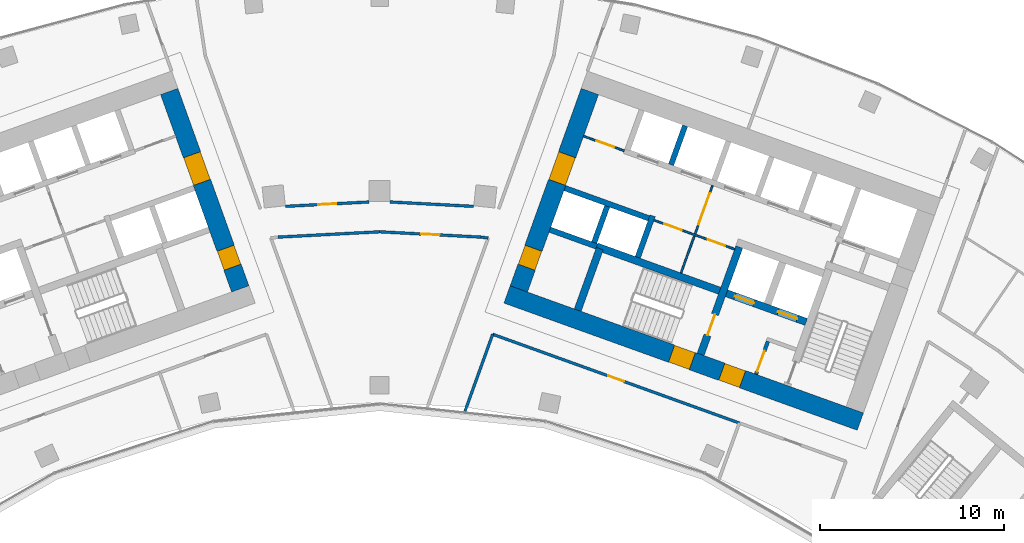
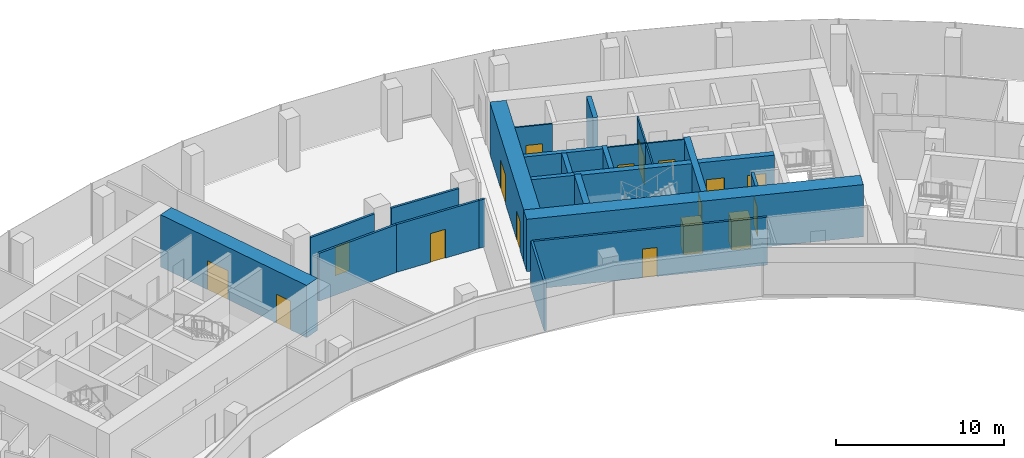
# One storey, part 14 of 19: 22 walls, 17 doors, 17 openings.
"""IFC4 building model written with IfcOpenShell, lengths in metres."""

from ifc_helpers import new_model, si_unit, direction, frame, frame_2d, origin, place, context, subcontext, project, spatial, rectangle, extrude, material, layer, layer_set, type_object, element, fill, save


model = new_model("IFC4")

# Units and contexts
model_context = context("Model", 3, precision=1e-05, world=origin(), true_north=direction((0.0, 1.0)))
body_context = subcontext(model_context, "Body", "Model", "MODEL_VIEW")
ifc_project = project(units=[si_unit("LENGTHUNIT", "METRE"), si_unit("AREAUNIT", "SQUARE_METRE"), si_unit("VOLUMEUNIT", "CUBIC_METRE"), si_unit("PLANEANGLEUNIT", "RADIAN"), si_unit("MASSUNIT", "GRAM", prefix="KILO")], contexts=[model_context])

# Site, building, storey
site_placement = place(None, origin())
site = spatial("IfcSite", under=ifc_project, at=site_placement, CompositionType="ELEMENT")
building_placement = place(site_placement, origin())
building = spatial("IfcBuilding", under=site, at=building_placement, Name="Stone Belt Terrace Tower", CompositionType="ELEMENT")
storey_placement = place(building_placement, frame((0.0, 0.0, 227.60009765625)))
storey = spatial("IfcBuildingStorey", under=building, at=storey_placement, Name="L55", CompositionType="ELEMENT", Elevation=227.60009765625)

# Wall, openings, doors
ifc_material_1 = material(Name="Plasterboard partition")
ifc_layer_1 = layer(ifc_material_1, 0.10009765625)
ifc_layer_set_1 = layer_set([ifc_layer_1], Name="Core partition 100")
wall_type_1 = type_object("IfcWallType", Name="Core partition 100", PredefinedType="PARTITIONING", material=ifc_layer_set_1)
wall_1_placement = place(storey_placement, frame((19.29052734375, 51.829833984375, 0.0), z_axis=(0.0, 0.0, 1.0), x_axis=(-0.940930240745, 0.338600475563, 0.0)))
wall_1 = element("IfcWall", 1, at=wall_1_placement, inside=storey, type_object=wall_type_1, Name="Core B wall", PredefinedType="PARTITIONING", context=body_context, shape_type="SweptSolid", body=[
    extrude(rectangle(XDim=4.64990234375, YDim=0.10009765625, at=frame_2d((2.324951171875, 0.0))), origin(), (0.0, 0.0, 1.0), 3.47998046875),
])
opening_1_placement = place(wall_1_placement, frame((0.550048828125, 0.0, 0.0)))
opening_1 = element("IfcOpeningElement", 2, at=opening_1_placement, cuts=wall_1, Name="Opening L55-C15", PredefinedType="OPENING", context=body_context, shape_type="SweptSolid", body=[
    extrude(rectangle(XDim=1.0, YDim=2.10009765625, at=frame_2d((0.5, 1.050048828125))), frame((0.0, 0.06005859375, 0.0), z_axis=(0.0, -1.0, 0.0), x_axis=(1.0, 0.0, 0.0)), (0.0, 0.0, 1.0), 0.1201171875),
])
opening_2_placement = place(wall_1_placement, frame((3.050048828125, 0.0, 0.0)))
opening_2 = element("IfcOpeningElement", 3, at=opening_2_placement, cuts=wall_1, Name="Opening L55-C16", PredefinedType="OPENING", context=body_context, shape_type="SweptSolid", body=[
    extrude(rectangle(XDim=1.0, YDim=2.10009765625, at=frame_2d((0.5, 1.050048828125))), frame((0.0, 0.06005859375, 0.0), z_axis=(0.0, -1.0, 0.0), x_axis=(1.0, 0.0, 0.0)), (0.0, 0.0, 1.0), 0.1201171875),
])
ifc_material_2 = material(Name="Timber door leaf", Category="wood")
door_type_1 = type_object("IfcDoorType", Name="Core room door 1000", OperationType="SINGLE_SWING_LEFT", PredefinedType="DOOR", material=ifc_material_2)
door_1_placement = place(opening_1_placement, origin())
door_1 = element("IfcDoor", 4, at=door_1_placement, inside=storey, type_object=door_type_1, Name="Door to Communications hub room core B", OperationType="SINGLE_SWING_RIGHT", OverallHeight=2.10009765625, OverallWidth=1.0, PredefinedType="DOOR", context=body_context, shape_type="SweptSolid", body=[
    extrude(rectangle(XDim=1.0, YDim=2.10009765625, at=frame_2d((0.5, 1.050048828125))), frame((0.0, 0.02490234375, 0.0), z_axis=(0.0, -1.0, 0.0), x_axis=(1.0, 0.0, 0.0)), (0.0, 0.0, 1.0), 0.050048828125),
])
fill(opening_1, door_1)
door_2_placement = place(opening_2_placement, origin())
door_2 = element("IfcDoor", 5, at=door_2_placement, inside=storey, type_object=door_type_1, Name="Door to Print and copy room core B", OperationType="SINGLE_SWING_LEFT", OverallHeight=2.10009765625, OverallWidth=1.0, PredefinedType="DOOR", context=body_context, shape_type="SweptSolid", body=[
    extrude(rectangle(XDim=1.0, YDim=2.10009765625, at=frame_2d((0.5, 1.050048828125))), frame((0.0, 0.02490234375, 0.0), z_axis=(0.0, -1.0, 0.0), x_axis=(1.0, 0.0, 0.0)), (0.0, 0.0, 1.0), 0.050048828125),
])
fill(opening_2, door_2)

# Wall, opening, door
wall_2_placement = place(storey_placement, frame((16.38134765625, 50.53857421875, 0.0), z_axis=(0.0, 0.0, 1.0), x_axis=(0.33860476744, 0.940928696271, 0.0)))
wall_2 = element("IfcWall", 6, at=wall_2_placement, inside=storey, type_object=wall_type_1, Name="Core B wall", PredefinedType="PARTITIONING", context=body_context, shape_type="SweptSolid", body=[
    extrude(rectangle(XDim=5.050048828125, YDim=0.10009765625, at=frame_2d((2.52490234375, 0.0))), origin(), (0.0, 0.0, 1.0), 3.47998046875),
])
opening_3_placement = place(wall_2_placement, frame((2.800048828125, 0.0, 0.0)))
opening_3 = element("IfcOpeningElement", 7, at=opening_3_placement, cuts=wall_2, Name="Opening L55-C19", PredefinedType="OPENING", context=body_context, shape_type="SweptSolid", body=[
    extrude(rectangle(XDim=1.800048828125, YDim=2.10009765625, at=frame_2d((0.89990234375, 1.050048828125))), frame((0.0, 0.06005859375, 0.0), z_axis=(0.0, -1.0, 0.0), x_axis=(1.0, 0.0, 0.0)), (0.0, 0.0, 1.0), 0.1201171875),
])
ifc_material_3 = material(Name="Glazed aluminium door leaf", Category="aluminium")
door_type_2 = type_object("IfcDoorType", Name="Lift lobby entrance door 1800", OperationType="DOUBLE_DOOR_SINGLE_SWING", PredefinedType="DOOR", material=ifc_material_3)
door_3_placement = place(opening_3_placement, origin())
door_3 = element("IfcDoor", 8, at=door_3_placement, inside=storey, type_object=door_type_2, Name="Lift lobby double door core B", OperationType="DOUBLE_DOOR_SINGLE_SWING", OverallHeight=2.10009765625, OverallWidth=1.800048828125, PredefinedType="DOOR", context=body_context, shape_type="SweptSolid", body=[
    extrude(rectangle(XDim=1.800048828125, YDim=2.10009765625, at=frame_2d((0.89990234375, 1.050048828125))), frame((0.0, 0.02490234375, 0.0), z_axis=(0.0, -1.0, 0.0), x_axis=(1.0, 0.0, 0.0)), (0.0, 0.0, 1.0), 0.050048828125),
])
fill(opening_3, door_3)

wall_3_placement = place(storey_placement, frame((13.29638671875, 57.17529296875, 0.0), z_axis=(0.0, 0.0, 1.0), x_axis=(-0.940904627055, 0.338671644496, 0.0)))
wall_3 = element("IfcWall", 9, at=wall_3_placement, inside=storey, type_object=wall_type_1, Name="Core B wall", PredefinedType="PARTITIONING", context=body_context, shape_type="SweptSolid", body=[
    extrude(rectangle(XDim=2.35009765625, YDim=0.10009765625, at=frame_2d((1.175048828125, 0.0))), origin(), (0.0, 0.0, 1.0), 3.47998046875),
])
opening_4_placement = place(wall_3_placement, frame((0.60009765625, 0.0, 0.0)))
opening_4 = element("IfcOpeningElement", 10, at=opening_4_placement, cuts=wall_3, Name="Opening L55-C14", PredefinedType="OPENING", context=body_context, shape_type="SweptSolid", body=[
    extrude(rectangle(XDim=1.0, YDim=2.10009765625, at=frame_2d((0.5, 1.050048828125))), frame((0.0, 0.06005859375, 0.0), z_axis=(0.0, -1.0, 0.0), x_axis=(1.0, 0.0, 0.0)), (0.0, 0.0, 1.0), 0.1201171875),
])
door_4_placement = place(opening_4_placement, origin())
door_4 = element("IfcDoor", 11, at=door_4_placement, inside=storey, type_object=door_type_1, Name="Door to Tenant storage room core B", OperationType="SINGLE_SWING_RIGHT", OverallHeight=2.10009765625, OverallWidth=1.0, PredefinedType="DOOR", context=body_context, shape_type="SweptSolid", body=[
    extrude(rectangle(XDim=1.0, YDim=2.10009765625, at=frame_2d((0.5, 1.050048828125))), frame((0.0, 0.02490234375, 0.0), z_axis=(0.0, -1.0, 0.0), x_axis=(1.0, 0.0, 0.0)), (0.0, 0.0, 1.0), 0.050048828125),
])
fill(opening_4, door_4)

# Wall, openings, doors
ifc_material_4 = material(Name="Concrete B60", Category="concrete")
ifc_layer_2 = layer(ifc_material_4, 1.0)
ifc_layer_set_2 = layer_set([ifc_layer_2], Name="Core wall 1000 B60")
wall_type_2 = type_object("IfcWallType", Name="Core wall 1000 B60", PredefinedType="SHEAR", material=ifc_layer_set_2)
wall_4_placement = place(storey_placement, frame((-7.567138671875, 49.672119140625, 0.0), z_axis=(0.0, 0.0, 1.0), x_axis=(-0.338625431531, 0.940921259788, 0.0)))
wall_4 = element("IfcWall", 12, at=wall_4_placement, inside=storey, type_object=wall_type_2, Name="Core A wall end_b L55", PredefinedType="SHEAR", context=body_context, shape_type="SweptSolid", body=[
    extrude(rectangle(XDim=11.400146484375, YDim=1.0, at=frame_2d((5.7001953125, 0.0))), origin(), (0.0, 0.0, 1.0), 3.7998046875),
])
opening_5_placement = place(wall_4_placement, frame((6.14990234375, 0.0, 0.0)))
opening_5 = element("IfcOpeningElement", 13, at=opening_5_placement, cuts=wall_4, Name="Opening L55-C07", PredefinedType="OPENING", context=body_context, shape_type="SweptSolid", body=[
    extrude(rectangle(XDim=1.60009765625, YDim=2.10009765625, at=frame_2d((0.800048828125, 1.050048828125))), frame((0.0, 0.510009765625, 0.0), z_axis=(0.0, -1.0, 0.0), x_axis=(1.0, 0.0, 0.0)), (0.0, 0.0, 1.0), 1.02001953125),
])
opening_6_placement = place(wall_4_placement, frame((1.25, 0.0, 0.0)))
opening_6 = element("IfcOpeningElement", 14, at=opening_6_placement, cuts=wall_4, Name="Opening L55-C13", PredefinedType="OPENING", context=body_context, shape_type="SweptSolid", body=[
    extrude(rectangle(XDim=1.10009765625, YDim=2.10009765625, at=frame_2d((0.550048828125, 1.050048828125))), frame((0.0, 0.510009765625, 0.0), z_axis=(0.0, -1.0, 0.0), x_axis=(1.0, 0.0, 0.0)), (0.0, 0.0, 1.0), 1.02001953125),
])
door_type_3 = type_object("IfcDoorType", Name="Core room door 1100", OperationType="SINGLE_SWING_LEFT", PredefinedType="DOOR", material=ifc_material_2)
door_5_placement = place(opening_6_placement, origin())
door_5 = element("IfcDoor", 15, at=door_5_placement, inside=storey, type_object=door_type_3, Name="Door to Electrical riser room core A", OperationType="SINGLE_SWING_LEFT", OverallHeight=2.10009765625, OverallWidth=1.10009765625, PredefinedType="DOOR", context=body_context, shape_type="SweptSolid", body=[
    extrude(rectangle(XDim=1.10009765625, YDim=2.10009765625, at=frame_2d((0.550048828125, 1.050048828125))), frame((0.0, 0.47998046875, 0.0), z_axis=(0.0, -1.0, 0.0), x_axis=(1.0, 0.0, 0.0)), (0.0, 0.0, 1.0), 0.9599609375),
])
fill(opening_6, door_5)
door_type_4 = type_object("IfcDoorType", Name="Lift lobby entrance door 1600", OperationType="DOUBLE_DOOR_SINGLE_SWING", PredefinedType="DOOR", material=ifc_material_3)
door_6_placement = place(opening_5_placement, origin())
door_6 = element("IfcDoor", 16, at=door_6_placement, inside=storey, type_object=door_type_4, Name="Lift lobby entrance door core A", OperationType="DOUBLE_DOOR_SINGLE_SWING", OverallHeight=2.10009765625, OverallWidth=1.60009765625, PredefinedType="DOOR", context=body_context, shape_type="SweptSolid", body=[
    extrude(rectangle(XDim=1.60009765625, YDim=2.10009765625, at=frame_2d((0.800048828125, 1.050048828125))), frame((0.0, 0.47998046875, 0.0), z_axis=(0.0, -1.0, 0.0), x_axis=(1.0, 0.0, 0.0)), (0.0, 0.0, 1.0), 0.9599609375),
])
fill(opening_5, door_6)

wall_5_placement = place(storey_placement, frame((6.927490234375, 49.370849609375, 0.0), z_axis=(0.0, 0.0, 1.0), x_axis=(0.940921428504, -0.338624962727, 0.0)))
wall_5 = element("IfcWall", 17, at=wall_5_placement, inside=storey, type_object=wall_type_2, Name="Core B wall concave L55", PredefinedType="SHEAR", context=body_context, shape_type="SweptSolid", body=[
    extrude(rectangle(XDim=20.400146484375, YDim=1.0, at=frame_2d((10.2001953125, 0.0))), origin(), (0.0, 0.0, 1.0), 3.7998046875),
])
opening_7_placement = place(wall_5_placement, frame((12.39990234375, 0.0, 0.0)))
opening_7 = element("IfcOpeningElement", 18, at=opening_7_placement, cuts=wall_5, Name="Opening L55-C23", PredefinedType="OPENING", context=body_context, shape_type="SweptSolid", body=[
    extrude(rectangle(XDim=1.199951171875, YDim=2.10009765625, at=frame_2d((0.60009765625, 1.050048828125))), frame((0.0, 0.510009765625, 0.0), z_axis=(0.0, -1.0, 0.0), x_axis=(1.0, 0.0, 0.0)), (0.0, 0.0, 1.0), 1.02001953125),
])
opening_8_placement = place(wall_5_placement, frame((9.5, 0.0, 0.0)))
opening_8 = element("IfcOpeningElement", 19, at=opening_8_placement, cuts=wall_5, Name="Opening L55-C25", PredefinedType="OPENING", context=body_context, shape_type="SweptSolid", body=[
    extrude(rectangle(XDim=1.199951171875, YDim=2.10009765625, at=frame_2d((0.60009765625, 1.050048828125))), frame((0.0, 0.510009765625, 0.0), z_axis=(0.0, -1.0, 0.0), x_axis=(1.0, 0.0, 0.0)), (0.0, 0.0, 1.0), 1.02001953125),
])
ifc_material_5 = material(Name="Steel door leaf", Category="steel")
door_type_5 = type_object("IfcDoorType", Name="Fire-fighting lobby door 1200", OperationType="SINGLE_SWING_LEFT", PredefinedType="DOOR", material=ifc_material_5)
door_7_placement = place(opening_7_placement, origin())
door_7 = element("IfcDoor", 20, at=door_7_placement, inside=storey, type_object=door_type_5, Name="Fire-fighting lobby door core B", OperationType="SINGLE_SWING_RIGHT", OverallHeight=2.10009765625, OverallWidth=1.199951171875, PredefinedType="DOOR", context=body_context, shape_type="SweptSolid", body=[
    extrude(rectangle(XDim=1.199951171875, YDim=2.10009765625, at=frame_2d((0.60009765625, 1.050048828125))), frame((0.0, 0.47998046875, 0.0), z_axis=(0.0, -1.0, 0.0), x_axis=(1.0, 0.0, 0.0)), (0.0, 0.0, 1.0), 0.9599609375),
])
fill(opening_7, door_7)
door_type_6 = type_object("IfcDoorType", Name="Stair door 1200", OperationType="SINGLE_SWING_LEFT", PredefinedType="DOOR", material=ifc_material_5)
door_8_placement = place(opening_8_placement, origin())
door_8 = element("IfcDoor", 21, at=door_8_placement, inside=storey, type_object=door_type_6, Name="Stair 2 exit door core B", OperationType="SINGLE_SWING_LEFT", OverallHeight=2.10009765625, OverallWidth=1.199951171875, PredefinedType="DOOR", context=body_context, shape_type="SweptSolid", body=[
    extrude(rectangle(XDim=1.199951171875, YDim=2.10009765625, at=frame_2d((0.60009765625, 1.050048828125))), frame((0.0, 0.47998046875, 0.0), z_axis=(0.0, -1.0, 0.0), x_axis=(1.0, 0.0, 0.0)), (0.0, 0.0, 1.0), 0.9599609375),
])
fill(opening_8, door_8)

wall_6_placement = place(storey_placement, frame((7.567138671875, 49.672119140625, 0.0), z_axis=(0.0, 0.0, 1.0), x_axis=(0.338625431531, 0.940921259788, 0.0)))
wall_6 = element("IfcWall", 22, at=wall_6_placement, inside=storey, type_object=wall_type_2, Name="Core B wall end_a L55", PredefinedType="SHEAR", context=body_context, shape_type="SweptSolid", body=[
    extrude(rectangle(XDim=11.400146484375, YDim=1.0, at=frame_2d((5.7001953125, 0.0))), origin(), (0.0, 0.0, 1.0), 3.7998046875),
])
opening_9_placement = place(wall_6_placement, frame((6.14990234375, 0.0, 0.0)))
opening_9 = element("IfcOpeningElement", 23, at=opening_9_placement, cuts=wall_6, Name="Opening L55-C20", PredefinedType="OPENING", context=body_context, shape_type="SweptSolid", body=[
    extrude(rectangle(XDim=1.60009765625, YDim=2.10009765625, at=frame_2d((0.800048828125, 1.050048828125))), frame((0.0, 0.510009765625, 0.0), z_axis=(0.0, -1.0, 0.0), x_axis=(1.0, 0.0, 0.0)), (0.0, 0.0, 1.0), 1.02001953125),
])
opening_10_placement = place(wall_6_placement, frame((1.25, 0.0, 0.0)))
opening_10 = element("IfcOpeningElement", 24, at=opening_10_placement, cuts=wall_6, Name="Opening L55-C26", PredefinedType="OPENING", context=body_context, shape_type="SweptSolid", body=[
    extrude(rectangle(XDim=1.10009765625, YDim=2.10009765625, at=frame_2d((0.550048828125, 1.050048828125))), frame((0.0, 0.510009765625, 0.0), z_axis=(0.0, -1.0, 0.0), x_axis=(1.0, 0.0, 0.0)), (0.0, 0.0, 1.0), 1.02001953125),
])
door_9_placement = place(opening_10_placement, origin())
door_9 = element("IfcDoor", 25, at=door_9_placement, inside=storey, type_object=door_type_3, Name="Door to Electrical riser room core B", OperationType="SINGLE_SWING_RIGHT", OverallHeight=2.10009765625, OverallWidth=1.10009765625, PredefinedType="DOOR", context=body_context, shape_type="SweptSolid", body=[
    extrude(rectangle(XDim=1.10009765625, YDim=2.10009765625, at=frame_2d((0.550048828125, 1.050048828125))), frame((0.0, 0.47998046875, 0.0), z_axis=(0.0, -1.0, 0.0), x_axis=(1.0, 0.0, 0.0)), (0.0, 0.0, 1.0), 0.9599609375),
])
fill(opening_10, door_9)
door_10_placement = place(opening_9_placement, origin())
door_10 = element("IfcDoor", 26, at=door_10_placement, inside=storey, type_object=door_type_4, Name="Lift lobby entrance door core B", OperationType="DOUBLE_DOOR_SINGLE_SWING", OverallHeight=2.10009765625, OverallWidth=1.60009765625, PredefinedType="DOOR", context=body_context, shape_type="SweptSolid", body=[
    extrude(rectangle(XDim=1.60009765625, YDim=2.10009765625, at=frame_2d((0.800048828125, 1.050048828125))), frame((0.0, 0.47998046875, 0.0), z_axis=(0.0, -1.0, 0.0), x_axis=(1.0, 0.0, 0.0)), (0.0, 0.0, 1.0), 0.9599609375),
])
fill(opening_9, door_10)

# Walls
ifc_material_6 = material(Name="Concrete B80", Category="concrete")
ifc_layer_3 = layer(ifc_material_6, 0.300048828125)
ifc_layer_set_3 = layer_set([ifc_layer_3], Name="Lift shaft wall 300")
wall_type_3 = type_object("IfcWallType", Name="Lift shaft wall 300", PredefinedType="SHEAR", material=ifc_layer_set_3)
wall_7_placement = place(storey_placement, frame((14.029052734375, 51.38525390625, 0.0), z_axis=(0.0, 0.0, 1.0), x_axis=(0.338661829791, 0.940908159728, 0.0)))
element("IfcWall", 27, at=wall_7_placement, inside=storey, type_object=wall_type_3, Name="Core B wall", PredefinedType="SHEAR", context=body_context, shape_type="SweptSolid", body=[
    extrude(rectangle(XDim=2.39990234375, YDim=0.300048828125, at=frame_2d((1.199951171875, 0.0))), origin(), (0.0, 0.0, 1.0), 3.47998046875),
])
wall_8_placement = place(storey_placement, frame((14.6328125, 53.506103515625, 0.0), z_axis=(0.0, 0.0, 1.0), x_axis=(-0.940931684323, 0.338596464007, 0.0)))
element("IfcWall", 28, at=wall_8_placement, inside=storey, type_object=wall_type_3, Name="Core B wall", PredefinedType="SHEAR", context=body_context, shape_type="SweptSolid", body=[
    extrude(rectangle(XDim=4.849609375, YDim=0.300048828125, at=frame_2d((2.4248046875, 0.0))), origin(), (0.0, 0.0, 1.0), 3.47998046875),
])
wall_9_placement = place(storey_placement, frame((15.8408203125, 56.419189453125, 0.0), z_axis=(0.0, 0.0, 1.0), x_axis=(0.338569601369, 0.940941350472, 0.0)))
element("IfcWall", 29, at=wall_9_placement, inside=storey, type_object=wall_type_3, Name="Core B wall", PredefinedType="SHEAR", context=body_context, shape_type="SweptSolid", body=[
    extrude(rectangle(XDim=2.249755859375, YDim=0.300048828125, at=frame_2d((1.125, 0.0))), origin(), (0.0, 0.0, 1.0), 3.47998046875),
])
wall_10_placement = place(storey_placement, frame((11.797119140625, 51.975830078125, 0.0), z_axis=(0.0, 0.0, 1.0), x_axis=(-0.940910465161, 0.33865542451, 0.0)))
element("IfcWall", 30, at=wall_10_placement, inside=storey, type_object=wall_type_3, Name="Core B wall", PredefinedType="SHEAR", context=body_context, shape_type="SweptSolid", body=[
    extrude(rectangle(XDim=2.69970703125, YDim=0.300048828125, at=frame_2d((1.349853515625, 0.0))), origin(), (0.0, 0.0, 1.0), 3.47998046875),
])
wall_11_placement = place(storey_placement, frame((11.659912109375, 52.184814453125, 0.0), z_axis=(0.0, 0.0, 1.0), x_axis=(0.338670064856, 0.940905195634, 0.0)))
element("IfcWall", 31, at=wall_11_placement, inside=storey, type_object=wall_type_3, Name="Core B wall", PredefinedType="SHEAR", context=body_context, shape_type="SweptSolid", body=[
    extrude(rectangle(XDim=2.099853515625, YDim=0.300048828125, at=frame_2d((1.0498046875, 0.0))), origin(), (0.0, 0.0, 1.0), 3.47998046875),
])
ifc_material_7 = material(Name="Gypsum board partition")
ifc_layer_4 = layer(ifc_material_7, 0.14990234375)
ifc_layer_set_4 = layer_set([ifc_layer_4], Name="PARTITION 150 EI 60")
wall_type_4 = type_object("IfcWallType", Name="PARTITION 150 EI 60", PredefinedType="PARTITIONING", material=ifc_layer_set_4)
wall_12_placement = place(storey_placement, frame((6.14990234375, 47.212890625, 0.0), z_axis=(0.0, 0.0, 1.0), x_axis=(-0.338583902482, -0.940936204522, 0.0)))
element("IfcWall", 32, at=wall_12_placement, inside=storey, type_object=wall_type_4, Name="L55/wall/i016", PredefinedType="PARTITIONING", context=body_context, shape_type="SweptSolid", body=[
    extrude(rectangle(XDim=4.464111328125, YDim=0.14990234375, at=frame_2d((2.23193359375, 0.0))), origin(), (0.0, 0.0, 1.0), 3.47998046875),
])

# Wall, opening, door
wall_13_placement = place(storey_placement, frame((19.552978515625, 42.383056640625, 0.0), z_axis=(0.0, 0.0, 1.0), x_axis=(-0.940920615009, 0.338627223138, 0.0)))
wall_13 = element("IfcWall", 33, at=wall_13_placement, inside=storey, type_object=wall_type_4, Name="L55/wall/i028", PredefinedType="PARTITIONING", context=body_context, shape_type="SweptSolid", body=[
    extrude(rectangle(XDim=14.24560546875, YDim=0.14990234375, at=frame_2d((7.122802734375, 0.0))), origin(), (0.0, 0.0, 1.0), 3.47998046875),
])
opening_11_placement = place(wall_13_placement, frame((6.6728515625, 0.0, 0.0)))
opening_11 = element("IfcOpeningElement", 34, at=opening_11_placement, cuts=wall_13, Name="Opening D-D4-05", PredefinedType="OPENING", context=body_context, shape_type="SweptSolid", body=[
    extrude(rectangle(XDim=0.89990234375, YDim=2.10009765625, at=frame_2d((0.449951171875, 1.050048828125))), frame((0.0, 0.0849609375, 0.0), z_axis=(0.0, -1.0, 0.0), x_axis=(1.0, 0.0, 0.0)), (0.0, 0.0, 1.0), 0.169921875),
])
door_type_7 = type_object("IfcDoorType", Name="OFFICE DOOR 900 X 2100", OperationType="NOTDEFINED", PredefinedType="DOOR", material=ifc_material_2)
door_11_placement = place(opening_11_placement, origin())
door_11 = element("IfcDoor", 35, at=door_11_placement, inside=storey, type_object=door_type_7, Name="L55/door/i05", OperationType="SINGLE_SWING_RIGHT", OverallHeight=2.10009765625, OverallWidth=0.89990234375, PredefinedType="DOOR", context=body_context, shape_type="SweptSolid", body=[
    extrude(rectangle(XDim=0.89990234375, YDim=2.10009765625, at=frame_2d((0.449951171875, 1.050048828125))), frame((0.0, 0.02490234375, 0.0), z_axis=(0.0, -1.0, 0.0), x_axis=(1.0, 0.0, 0.0)), (0.0, 0.0, 1.0), 0.050048828125),
])
fill(opening_11, door_11)

# Wall
wall_14_placement = place(storey_placement, frame((5.904052734375, 52.43603515625, 0.0), z_axis=(0.0, 0.0, 1.0), x_axis=(-0.991780421826, 0.127951533338, 0.0)))
element("IfcWall", 36, at=wall_14_placement, inside=storey, type_object=wall_type_4, Name="L55/wall/i066", PredefinedType="PARTITIONING", context=body_context, shape_type="SweptSolid", body=[
    extrude(rectangle(XDim=0.39111328125, YDim=0.14990234375, at=frame_2d((0.195556640625, 0.0))), origin(), (0.0, 0.0, 1.0), 3.47998046875),
])

# Wall, opening, door
wall_15_placement = place(storey_placement, frame((5.51611328125, 52.486083984375, 0.0), z_axis=(0.0, 0.0, 1.0), x_axis=(-0.998632077757, 0.052287410285, 0.0)))
wall_15 = element("IfcWall", 37, at=wall_15_placement, inside=storey, type_object=wall_type_4, Name="L55/wall/i067", PredefinedType="PARTITIONING", context=body_context, shape_type="SweptSolid", body=[
    extrude(rectangle(XDim=5.523681640625, YDim=0.14990234375, at=frame_2d((2.76171875, 0.0))), origin(), (0.0, 0.0, 1.0), 3.47998046875),
])
opening_12_placement = place(wall_15_placement, frame((2.26171875, 0.0, 0.0)))
opening_12 = element("IfcOpeningElement", 38, at=opening_12_placement, cuts=wall_15, Name="Opening D-D4-23", PredefinedType="OPENING", context=body_context, shape_type="SweptSolid", body=[
    extrude(rectangle(XDim=1.0, YDim=2.10009765625, at=frame_2d((0.5, 1.050048828125))), frame((0.0, 0.0849609375, 0.0), z_axis=(0.0, -1.0, 0.0), x_axis=(1.0, 0.0, 0.0)), (0.0, 0.0, 1.0), 0.169921875),
])
ifc_material_8 = material(Name="Timber fire door leaf", Category="wood")
door_type_8 = type_object("IfcDoorType", Name="TENANCY ENTRANCE DOOR 1000 X 2100", OperationType="NOTDEFINED", PredefinedType="DOOR", material=ifc_material_8)
door_12_placement = place(opening_12_placement, origin())
door_12 = element("IfcDoor", 39, at=door_12_placement, inside=storey, type_object=door_type_8, Name="L55/door/i23", OperationType="SINGLE_SWING_RIGHT", OverallHeight=2.10009765625, OverallWidth=1.0, PredefinedType="DOOR", context=body_context, shape_type="SweptSolid", body=[
    extrude(rectangle(XDim=1.0, YDim=2.10009765625, at=frame_2d((0.5, 1.050048828125))), frame((0.0, 0.02490234375, 0.0), z_axis=(0.0, -1.0, 0.0), x_axis=(1.0, 0.0, 0.0)), (0.0, 0.0, 1.0), 0.050048828125),
])
fill(opening_12, door_12)

# Wall
wall_16_placement = place(storey_placement, frame((0.0, 52.77490234375, 0.0), z_axis=(0.0, 0.0, 1.0), x_axis=(-0.998632077757, -0.052287410285, 0.0)))
element("IfcWall", 40, at=wall_16_placement, inside=storey, type_object=wall_type_4, Name="L55/wall/i068", PredefinedType="PARTITIONING", context=body_context, shape_type="SweptSolid", body=[
    extrude(rectangle(XDim=5.523681640625, YDim=0.14990234375, at=frame_2d((2.76171875, 0.0))), origin(), (0.0, 0.0, 1.0), 3.47998046875),
])

# Wall, opening, door
wall_17_placement = place(storey_placement, frame((-5.114013671875, 54.1572265625, 0.0), z_axis=(0.0, 0.0, 1.0), x_axis=(0.998631882583, 0.052291137769, 0.0)))
wall_17 = element("IfcWall", 41, at=wall_17_placement, inside=storey, type_object=wall_type_4, Name="L55/wall/i070", PredefinedType="PARTITIONING", context=body_context, shape_type="SweptSolid", body=[
    extrude(rectangle(XDim=4.54736328125, YDim=0.14990234375, at=frame_2d((2.273681640625, 0.0))), origin(), (0.0, 0.0, 1.0), 3.47998046875),
])
opening_13_placement = place(wall_17_placement, frame((1.773681640625, 0.0, 0.0)))
opening_13 = element("IfcOpeningElement", 42, at=opening_13_placement, cuts=wall_17, Name="Opening D-D4-24", PredefinedType="OPENING", context=body_context, shape_type="SweptSolid", body=[
    extrude(rectangle(XDim=1.0, YDim=2.10009765625, at=frame_2d((0.5, 1.050048828125))), frame((0.0, 0.0849609375, 0.0), z_axis=(0.0, -1.0, 0.0), x_axis=(1.0, 0.0, 0.0)), (0.0, 0.0, 1.0), 0.169921875),
])
door_13_placement = place(opening_13_placement, origin())
door_13 = element("IfcDoor", 43, at=door_13_placement, inside=storey, type_object=door_type_8, Name="L55/door/i24", OperationType="SINGLE_SWING_RIGHT", OverallHeight=2.10009765625, OverallWidth=1.0, PredefinedType="DOOR", context=body_context, shape_type="SweptSolid", body=[
    extrude(rectangle(XDim=1.0, YDim=2.10009765625, at=frame_2d((0.5, 1.050048828125))), frame((0.0, 0.02490234375, 0.0), z_axis=(0.0, -1.0, 0.0), x_axis=(1.0, 0.0, 0.0)), (0.0, 0.0, 1.0), 0.050048828125),
])
fill(opening_13, door_13)

# Wall
wall_18_placement = place(storey_placement, frame((0.57275390625, 54.39501953125, 0.0), z_axis=(0.0, 0.0, 1.0), x_axis=(0.998631882583, -0.052291137769, 0.0)))
element("IfcWall", 44, at=wall_18_placement, inside=storey, type_object=wall_type_4, Name="L55/wall/i071", PredefinedType="PARTITIONING", context=body_context, shape_type="SweptSolid", body=[
    extrude(rectangle(XDim=4.54736328125, YDim=0.14990234375, at=frame_2d((2.273681640625, 0.0))), origin(), (0.0, 0.0, 1.0), 3.47998046875),
])

# Wall, opening, door
ifc_material_9 = material(Name="Concrete masonry block", Category="masonry")
ifc_layer_5 = layer(ifc_material_9, 0.199951171875)
ifc_layer_set_5 = layer_set([ifc_layer_5], Name="Rated lobby wall 200")
wall_type_5 = type_object("IfcWallType", Name="Rated lobby wall 200", PredefinedType="PARTITIONING", material=ifc_layer_set_5)
wall_19_placement = place(storey_placement, frame((20.4580078125, 45.032958984375, 0.0), z_axis=(0.0, 0.0, 1.0), x_axis=(0.338573865316, 0.940939816208, 0.0)))
wall_19 = element("IfcWall", 45, at=wall_19_placement, inside=storey, type_object=wall_type_5, Name="Core B wall", PredefinedType="PARTITIONING", context=body_context, shape_type="SweptSolid", body=[
    extrude(rectangle(XDim=1.900146484375, YDim=0.199951171875, at=frame_2d((0.9501953125, 0.0))), origin(), (0.0, 0.0, 1.0), 3.47998046875),
])
opening_14_placement = place(wall_19_placement, frame((0.14990234375, 0.0, 0.0)))
opening_14 = element("IfcOpeningElement", 46, at=opening_14_placement, cuts=wall_19, Name="Opening L55-C22", PredefinedType="OPENING", context=body_context, shape_type="SweptSolid", body=[
    extrude(rectangle(XDim=1.199951171875, YDim=2.10009765625, at=frame_2d((0.60009765625, 1.050048828125))), frame((0.0, 0.10986328125, 0.0), z_axis=(0.0, -1.0, 0.0), x_axis=(1.0, 0.0, 0.0)), (0.0, 0.0, 1.0), 0.219970703125),
])
door_14_placement = place(opening_14_placement, origin())
door_14 = element("IfcDoor", 47, at=door_14_placement, inside=storey, type_object=door_type_6, Name="Stair airlock door core B", OperationType="SINGLE_SWING_RIGHT", OverallHeight=2.10009765625, OverallWidth=1.199951171875, PredefinedType="DOOR", context=body_context, shape_type="SweptSolid", body=[
    extrude(rectangle(XDim=1.199951171875, YDim=2.10009765625, at=frame_2d((0.60009765625, 1.050048828125))), frame((0.0, 0.02490234375, 0.0), z_axis=(0.0, -1.0, 0.0), x_axis=(1.0, 0.0, 0.0)), (0.0, 0.0, 1.0), 0.050048828125),
])
fill(opening_14, door_14)

# Wall, openings, doors
ifc_layer_6 = layer(ifc_material_6, 0.39990234375)
ifc_layer_set_6 = layer_set([ifc_layer_6], Name="Stair enclosure wall 400")
wall_type_6 = type_object("IfcWallType", Name="Stair enclosure wall 400", PredefinedType="SHEAR", material=ifc_layer_set_6)
wall_20_placement = place(storey_placement, frame((23.182373046875, 47.87841796875, 0.0), z_axis=(0.0, 0.0, 1.0), x_axis=(-0.940921101762, 0.338625870628, 0.0)))
wall_20 = element("IfcWall", 48, at=wall_20_placement, inside=storey, type_object=wall_type_6, Name="Core B wall", PredefinedType="SHEAR", context=body_context, shape_type="SweptSolid", body=[
    extrude(rectangle(XDim=12.10009765625, YDim=0.39990234375, at=frame_2d((6.050048828125, 0.0))), origin(), (0.0, 0.0, 1.0), 3.47998046875),
])
opening_15_placement = place(wall_20_placement, frame((0.52001953125, 0.0, 0.0)))
opening_15 = element("IfcOpeningElement", 49, at=opening_15_placement, cuts=wall_20, Name="Opening L55-LD14", PredefinedType="OPENING", context=body_context, shape_type="SweptSolid", body=[
    extrude(rectangle(XDim=1.10009765625, YDim=2.199951171875, at=frame_2d((0.550048828125, 1.10009765625))), frame((0.0, 0.2099609375, 0.0), z_axis=(0.0, -1.0, 0.0), x_axis=(1.0, 0.0, 0.0)), (0.0, 0.0, 1.0), 0.419921875),
])
opening_16_placement = place(wall_20_placement, frame((3.02001953125, 0.0, 0.0)))
opening_16 = element("IfcOpeningElement", 50, at=opening_16_placement, cuts=wall_20, Name="Opening L55-LD15", PredefinedType="OPENING", context=body_context, shape_type="SweptSolid", body=[
    extrude(rectangle(XDim=1.10009765625, YDim=2.199951171875, at=frame_2d((0.550048828125, 1.10009765625))), frame((0.0, 0.2099609375, 0.0), z_axis=(0.0, -1.0, 0.0), x_axis=(1.0, 0.0, 0.0)), (0.0, 0.0, 1.0), 0.419921875),
])
ifc_material_10 = material(Name="Stainless steel door leaf", Category="steel")
door_type_9 = type_object("IfcDoorType", Name="Landing door 1100", OperationType="SLIDING_TO_LEFT", PredefinedType="DOOR", material=ifc_material_10)
door_15_placement = place(opening_15_placement, origin())
door_15 = element("IfcDoor", 51, at=door_15_placement, inside=storey, type_object=door_type_9, Name="Landing door FF1 core B", OperationType="SLIDING_TO_LEFT", OverallHeight=2.199951171875, OverallWidth=1.10009765625, PredefinedType="DOOR", context=body_context, shape_type="SweptSolid", body=[
    extrude(rectangle(XDim=1.10009765625, YDim=2.199951171875, at=frame_2d((0.550048828125, 1.10009765625))), frame((0.0, 0.02490234375, 0.0), z_axis=(0.0, -1.0, 0.0), x_axis=(1.0, 0.0, 0.0)), (0.0, 0.0, 1.0), 0.050048828125),
])
fill(opening_15, door_15)
door_16_placement = place(opening_16_placement, origin())
door_16 = element("IfcDoor", 52, at=door_16_placement, inside=storey, type_object=door_type_9, Name="Landing door FF2 core B", OperationType="SLIDING_TO_LEFT", OverallHeight=2.199951171875, OverallWidth=1.10009765625, PredefinedType="DOOR", context=body_context, shape_type="SweptSolid", body=[
    extrude(rectangle(XDim=1.10009765625, YDim=2.199951171875, at=frame_2d((0.550048828125, 1.10009765625))), frame((0.0, 0.02490234375, 0.0), z_axis=(0.0, -1.0, 0.0), x_axis=(1.0, 0.0, 0.0)), (0.0, 0.0, 1.0), 0.050048828125),
])
fill(opening_16, door_16)

# Wall, opening, door
wall_21_placement = place(storey_placement, frame((17.447021484375, 46.116455078125, 0.0), z_axis=(0.0, 0.0, 1.0), x_axis=(0.33860791464, 0.940927563707, 0.0)))
wall_21 = element("IfcWall", 53, at=wall_21_placement, inside=storey, type_object=wall_type_6, Name="Core B wall", PredefinedType="SHEAR", context=body_context, shape_type="SweptSolid", body=[
    extrude(rectangle(XDim=6.199951171875, YDim=0.39990234375, at=frame_2d((3.10009765625, 0.0))), origin(), (0.0, 0.0, 1.0), 3.47998046875),
])
opening_17_placement = place(wall_21_placement, frame((1.10009765625, 0.0, 0.0)))
opening_17 = element("IfcOpeningElement", 54, at=opening_17_placement, cuts=wall_21, Name="Opening L55-C24", PredefinedType="OPENING", context=body_context, shape_type="SweptSolid", body=[
    extrude(rectangle(XDim=1.199951171875, YDim=2.10009765625, at=frame_2d((0.60009765625, 1.050048828125))), frame((0.0, 0.2099609375, 0.0), z_axis=(0.0, -1.0, 0.0), x_axis=(1.0, 0.0, 0.0)), (0.0, 0.0, 1.0), 0.419921875),
])
door_17_placement = place(opening_17_placement, origin())
door_17 = element("IfcDoor", 55, at=door_17_placement, inside=storey, type_object=door_type_6, Name="Stair 2 door core B", OperationType="SINGLE_SWING_RIGHT", OverallHeight=2.10009765625, OverallWidth=1.199951171875, PredefinedType="DOOR", context=body_context, shape_type="SweptSolid", body=[
    extrude(rectangle(XDim=1.199951171875, YDim=2.10009765625, at=frame_2d((0.60009765625, 1.050048828125))), frame((0.0, 0.02490234375, 0.0), z_axis=(0.0, -1.0, 0.0), x_axis=(1.0, 0.0, 0.0)), (0.0, 0.0, 1.0), 0.050048828125),
])
fill(opening_17, door_17)

# Wall
wall_22_placement = place(storey_placement, frame((10.766357421875, 48.520751953125, 0.0), z_axis=(0.0, 0.0, 1.0), x_axis=(0.338626928157, 0.94092072117, 0.0)))
element("IfcWall", 56, at=wall_22_placement, inside=storey, type_object=wall_type_6, Name="Core B wall", PredefinedType="SHEAR", context=body_context, shape_type="SweptSolid", body=[
    extrude(rectangle(XDim=3.550048828125, YDim=0.39990234375, at=frame_2d((1.77490234375, 0.0))), origin(), (0.0, 0.0, 1.0), 3.47998046875),
])

save(model, "model.ifc")
